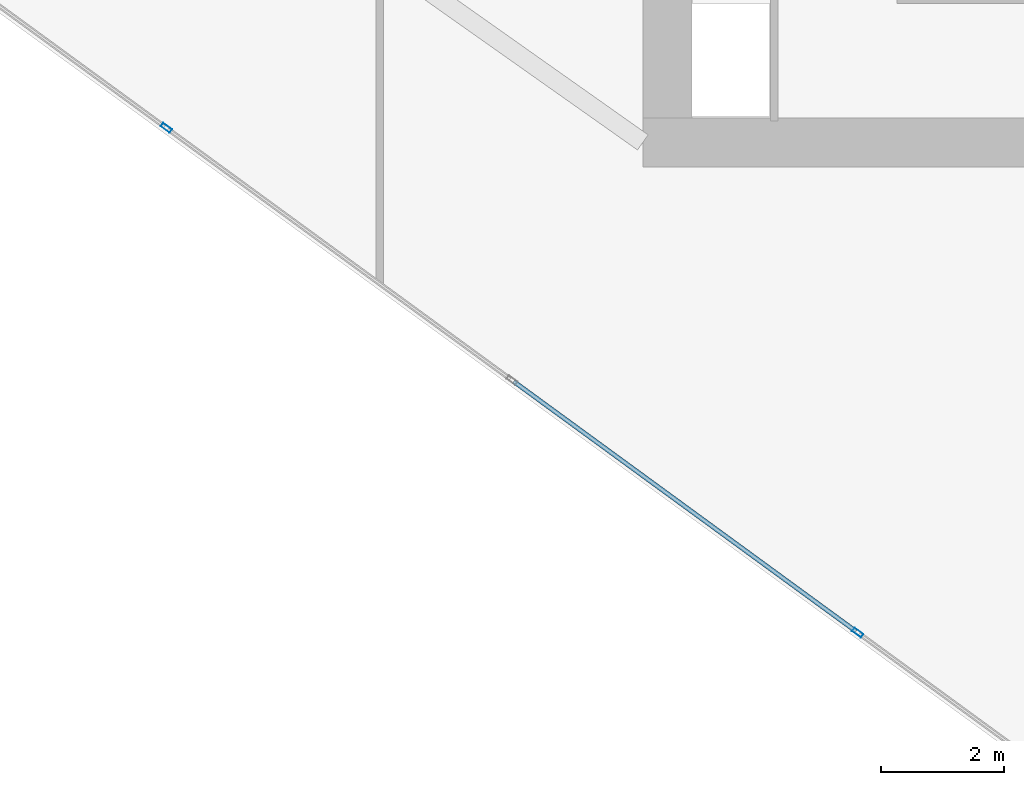
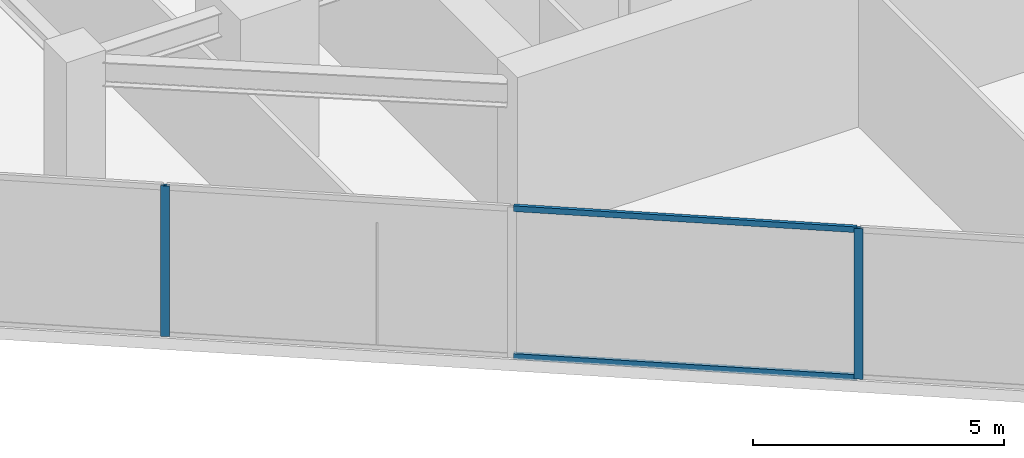
# One storey, part 2 of 25: 4 members, 1 element without a shape of its own.
"""IFC4 building model written with IfcOpenShell, lengths in metres."""

from ifc_helpers import new_model, si_unit, direction, frame, origin, origin_2d, place, context, subcontext, project, spatial, hollow_rectangle, extrude, source, transform, mapped, material, material_profile, profile_set, type_object, type_shapes, element, aggregate, save


model = new_model("IFC4")

# Units and contexts
model_context = context("Model", 3, precision=1e-05, world=origin(), true_north=direction((0.0, 1.0)))
body_context = subcontext(model_context, "Body", "Model", "MODEL_VIEW")
ifc_project = project(units=[si_unit("LENGTHUNIT", "METRE"), si_unit("AREAUNIT", "SQUARE_METRE"), si_unit("VOLUMEUNIT", "CUBIC_METRE"), si_unit("PLANEANGLEUNIT", "RADIAN"), si_unit("MASSUNIT", "GRAM", prefix="KILO")], contexts=[model_context])

# Site, building, storey
site_placement = place(None, origin())
site = spatial("IfcSite", under=ifc_project, at=site_placement, CompositionType="ELEMENT")
building_placement = place(site_placement, origin())
building = spatial("IfcBuilding", under=site, at=building_placement, Name="Krantzveldt Concourse Tower", CompositionType="ELEMENT")
storey_placement = place(building_placement, frame((0.0, 0.0, 193.60009765625)))
storey = spatial("IfcBuildingStorey", under=building, at=storey_placement, Name="L47", CompositionType="ELEMENT", Elevation=193.60009765625)

# Curtain wall, members
ifc_material = material(Name="Anodised aluminium 6063-T6", Category="aluminium")
curtain_wall_type = type_object("IfcCurtainWallType", Name="CW3", PredefinedType="USERDEFINED", material=ifc_material)
curtain_wall_placement = place(storey_placement, origin())
curtain_wall = element("IfcCurtainWall", 1, at=curtain_wall_placement, inside=storey, type_object=curtain_wall_type, Name="CW-L47-F04", ObjectType="UNITISED CURTAIN WALL", PredefinedType="USERDEFINED")
ifc_material_profile_1 = material_profile(ifc_material, hollow_rectangle(XDim=0.070068359375, YDim=0.179931640625, WallThickness=0.0048828125, at=origin_2d()), Name="Anodised aluminium 6063-T6", Category="aluminium")
ifc_profile_set_1 = profile_set([ifc_material_profile_1], Name="Anodised aluminium 6063-T6 - ALU-MULL 180x70x5")
member_type_1 = type_object("IfcMemberType", Name="CW-MUL-180", PredefinedType="MULLION", material=ifc_profile_set_1)
shared_shape_1 = source(origin(), body_context, "Body", "SweptSolid", [
    extrude(hollow_rectangle(XDim=0.070068359375, YDim=0.179931640625, WallThickness=0.0048828125, at=origin_2d()), origin(), (0.0, 0.0, 1.0), 3.669921875),
])
type_shapes(member_type_1, [shared_shape_1])
member_1_placement = place(storey_placement, frame((20.3310546875, 11.135009765625, 0.0), z_axis=(0.0, 0.0, 1.0), x_axis=(0.589548833895, 0.807732735781, 0.0)))
member_1 = element("IfcMember", 2, at=member_1_placement, type_object=member_type_1, Name="CW-Z34 mullion 3", PredefinedType="MULLION", context=body_context, shape_type="MappedRepresentation", body=[
    mapped(shared_shape_1, transform((0.0, 0.0, 0.0), x_axis=(1.0, 0.0, 0.0), y_axis=(0.0, 1.0, 0.0), z_axis=(0.0, 0.0, 1.0), scale=1.0)),
])
member_2_placement = place(storey_placement, frame((31.57470703125, 2.928466796875, 0.0), z_axis=(0.0, 0.0, 1.0), x_axis=(0.589548833895, 0.807732735781, 0.0)))
member_2 = element("IfcMember", 3, at=member_2_placement, type_object=member_type_1, Name="CW-Z34 mullion 5", PredefinedType="MULLION", context=body_context, shape_type="MappedRepresentation", body=[
    mapped(shared_shape_1, transform((0.0, 0.0, 0.0), x_axis=(1.0, 0.0, 0.0), y_axis=(0.0, 1.0, 0.0), z_axis=(0.0, 0.0, 1.0), scale=1.0)),
])
ifc_material_profile_2 = material_profile(ifc_material, hollow_rectangle(XDim=0.070068359375, YDim=0.139892578125, WallThickness=0.0048828125, at=origin_2d()), Name="Anodised aluminium 6063-T6", Category="aluminium")
ifc_profile_set_2 = profile_set([ifc_material_profile_2], Name="Anodised aluminium 6063-T6 - ALU-TRAN 140x70x5")
member_type_2 = type_object("IfcMemberType", Name="CW-TRN-150", PredefinedType="USERDEFINED", material=ifc_profile_set_2)
shared_shape_2 = source(origin(), body_context, "Body", "SweptSolid", [
    extrude(hollow_rectangle(XDim=0.070068359375, YDim=0.139892578125, WallThickness=0.0048828125, at=origin_2d()), origin(), (0.0, 0.0, 1.0), 6.889892578125),
])
type_shapes(member_type_2, [shared_shape_2])
member_3_placement = place(storey_placement, frame((25.981201171875, 7.010986328125, 0.034912109375), z_axis=(0.807726644352, -0.589557179589, 0.0), x_axis=(0.589557179589, 0.807726644352, 0.0)))
member_3 = element("IfcMember", 4, at=member_3_placement, type_object=member_type_2, Name="CW-Z34 transom 4.1", ObjectType="TRANSOM", PredefinedType="USERDEFINED", context=body_context, shape_type="MappedRepresentation", body=[
    mapped(shared_shape_2, transform((0.0, 0.0, 0.0), x_axis=(1.0, 0.0, 0.0), y_axis=(0.0, 1.0, 0.0), z_axis=(0.0, 0.0, 1.0), scale=1.0)),
])
member_4_placement = place(storey_placement, frame((25.981201171875, 7.010986328125, 3.635009765625), z_axis=(0.807726644352, -0.589557179589, 0.0), x_axis=(0.589557179589, 0.807726644352, 0.0)))
member_4 = element("IfcMember", 5, at=member_4_placement, type_object=member_type_2, Name="CW-Z34 transom 4.2", ObjectType="TRANSOM", PredefinedType="USERDEFINED", context=body_context, shape_type="MappedRepresentation", body=[
    mapped(shared_shape_2, transform((0.0, 0.0, 0.0), x_axis=(1.0, 0.0, 0.0), y_axis=(0.0, 1.0, 0.0), z_axis=(0.0, 0.0, 1.0), scale=1.0)),
])
aggregate(curtain_wall, [member_1, member_2, member_3, member_4])

save(model, "model.ifc")
